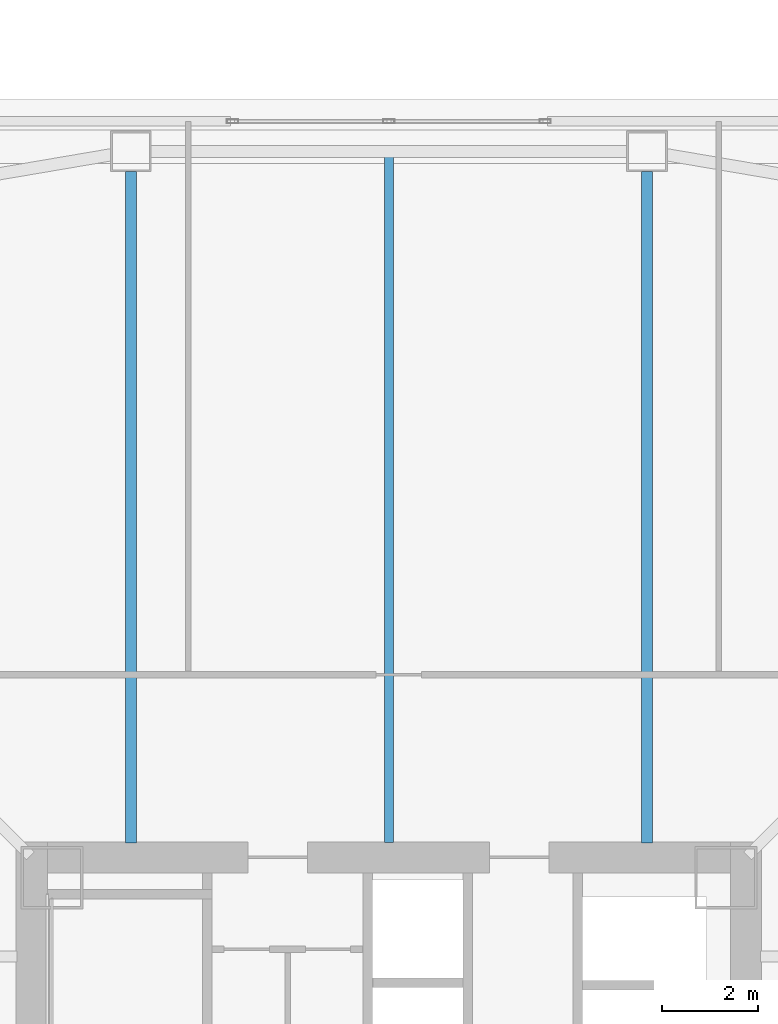
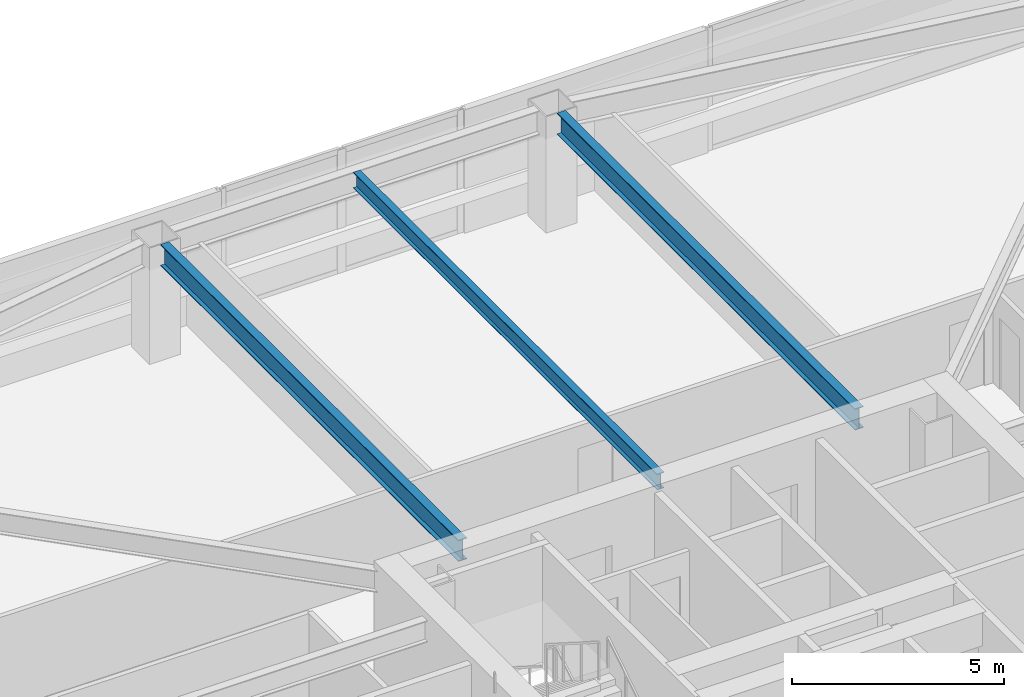
# One storey, part 12 of 46: 3 beams.
"""IFC4 building model written with IfcOpenShell, lengths in metres."""

from ifc_helpers import new_model, si_unit, direction, frame, origin, origin_2d, place, context, subcontext, project, spatial, i_section, extrude, material, material_profile, profile_set, type_object, element, save


model = new_model("IFC4")

# Units and contexts
model_context = context("Model", 3, precision=1e-05, world=origin(), true_north=direction((0.0, 1.0)))
body_context = subcontext(model_context, "Body", "Model", "MODEL_VIEW")
ifc_project = project(units=[si_unit("LENGTHUNIT", "METRE"), si_unit("AREAUNIT", "SQUARE_METRE"), si_unit("VOLUMEUNIT", "CUBIC_METRE"), si_unit("PLANEANGLEUNIT", "RADIAN"), si_unit("MASSUNIT", "GRAM", prefix="KILO")], contexts=[model_context])

# Site, building, storey
site_placement = place(None, origin())
site = spatial("IfcSite", under=ifc_project, at=site_placement, CompositionType="ELEMENT")
building_placement = place(site_placement, origin())
building = spatial("IfcBuilding", under=site, at=building_placement, Name="Tashvorn Skyway Center", CompositionType="ELEMENT")
storey_placement = place(building_placement, frame((0.0, 0.0, 38.800048828125)))
storey = spatial("IfcBuildingStorey", under=building, at=storey_placement, Name="L09", CompositionType="ELEMENT", Elevation=38.800048828125)

# Beams
ifc_material = material(Name="Steel ASTM A992 Grade 50", Category="steel")
ifc_material_profile_1 = material_profile(ifc_material, i_section(OverallWidth=0.22998046875, OverallDepth=0.616943359375, WebThickness=0.01318359375, FlangeThickness=0.022216796875, at=origin_2d()), Name="W24X94")
ifc_profile_set_1 = profile_set([ifc_material_profile_1], Name="Steel ASTM A992 Grade 50")
beam_type_1 = type_object("IfcBeamType", Name="BM-BEAM-W24X94", PredefinedType="BEAM", material=ifc_profile_set_1)
for number, where, z_axis, x_axis, name in (
    (1, (47.39990234375, 53.830078125, 3.04150390625), (0.0, -1.0, 0.0), (1.0, 0.0, 0.0), "Tower 1 L09 Primary Floor Girder FC-N1"),
    (2, (36.60009765625, 53.830078125, 3.04150390625), (0.0, -1.0, 0.0), (1.0, 0.0, 0.0), "Tower 1 L09 Primary Floor Girder FC-N2"),
):
    element("IfcBeam", number, at=place(storey_placement, frame(where, z_axis=z_axis, x_axis=x_axis)), inside=storey, type_object=beam_type_1, Name=name, PredefinedType="BEAM", context=body_context, shape_type="SweptSolid", body=[
        extrude(i_section(OverallWidth=0.22998046875, OverallDepth=0.616943359375, WebThickness=0.01318359375, FlangeThickness=0.022216796875, at=origin_2d()), origin(), (0.0, 0.0, 1.0), 14.050048828125),
    ])
ifc_material_profile_2 = material_profile(ifc_material, i_section(OverallWidth=0.19091796875, OverallDepth=0.4599609375, WebThickness=0.010009765625, FlangeThickness=0.01611328125, at=origin_2d()), Name="W18X55")
ifc_profile_set_2 = profile_set([ifc_material_profile_2], Name="Steel ASTM A992 Grade 50")
beam_type_2 = type_object("IfcBeamType", Name="BM-JOIST-W18X55", PredefinedType="JOIST", material=ifc_profile_set_2)
beam_placement = place(storey_placement, frame((42.0, 39.7900390625, 3.119873046875), z_axis=(0.0, 1.0, 0.0), x_axis=(-1.0, 0.0, 0.0)))
element("IfcBeam", 3, at=beam_placement, inside=storey, type_object=beam_type_2, Name="Tower 1 L09 Secondary Composite Joist JN", PredefinedType="JOIST", context=body_context, shape_type="SweptSolid", body=[
    extrude(i_section(OverallWidth=0.19091796875, OverallDepth=0.4599609375, WebThickness=0.010009765625, FlangeThickness=0.01611328125, at=origin_2d()), origin(), (0.0, 0.0, 1.0), 14.33984375),
])

save(model, "model.ifc")
